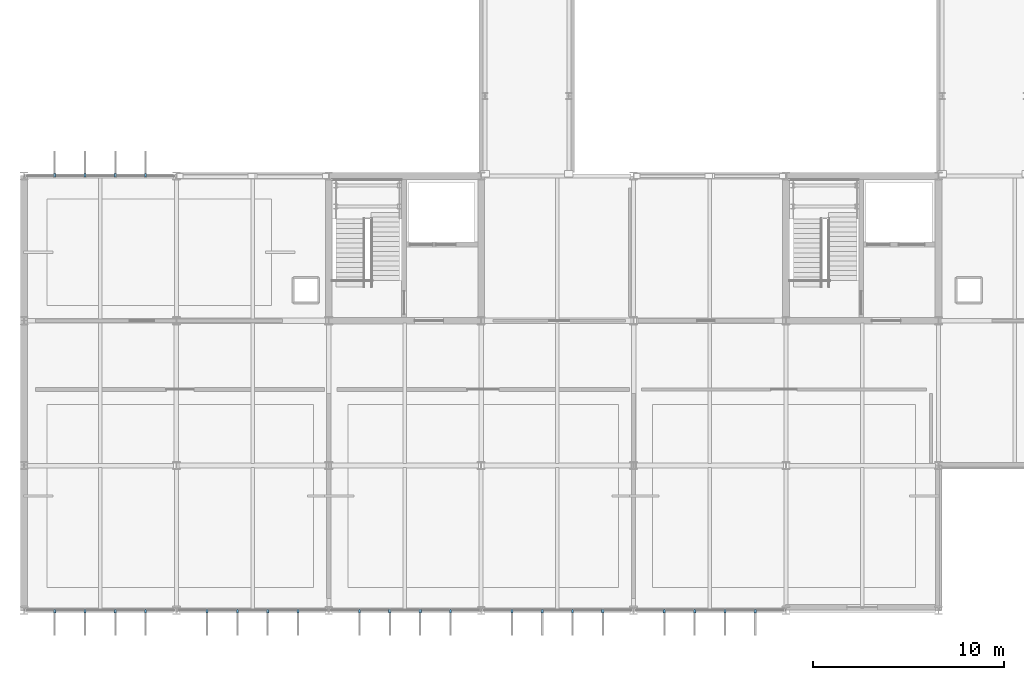
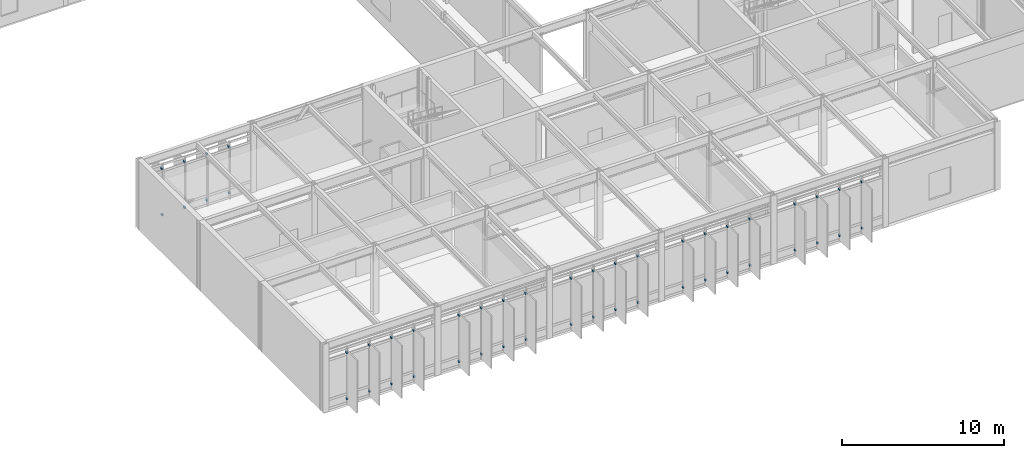
# One storey, part 82 of 94: 48 discrete accessories.
"""IFC4 building model written with IfcOpenShell, lengths in metres."""

from ifc_helpers import new_model, si_unit, direction, frame, origin, origin_2d, place, context, subcontext, project, spatial, rectangle, extrude, material, layer, layer_set, type_object, element, save


model = new_model("IFC4")

# Units and contexts
model_context = context("Model", 3, precision=1e-05, world=origin(), true_north=direction((0.0, 1.0)))
body_context = subcontext(model_context, "Body", "Model", "MODEL_VIEW")
ifc_project = project(units=[si_unit("LENGTHUNIT", "METRE"), si_unit("AREAUNIT", "SQUARE_METRE"), si_unit("VOLUMEUNIT", "CUBIC_METRE"), si_unit("PLANEANGLEUNIT", "RADIAN"), si_unit("MASSUNIT", "GRAM", prefix="KILO")], contexts=[model_context])

# Site, building, storey
site_placement = place(None, origin())
site = spatial("IfcSite", under=ifc_project, at=site_placement, CompositionType="ELEMENT")
building_placement = place(site_placement, origin())
building = spatial("IfcBuilding", under=site, at=building_placement, Name="Zulena Civic Courthouse", CompositionType="ELEMENT")
storey_placement = place(building_placement, frame((0.0, 0.0, 5.39990234375)))
storey = spatial("IfcBuildingStorey", under=building, at=storey_placement, Name="L01", CompositionType="ELEMENT", Elevation=5.39990234375)

# Discrete accessories
ifc_material = material(Name="Gold anodised architectural aluminium AA6063-T6", Category="aluminium")
ifc_layer = layer(ifc_material, 0.1201171875)
ifc_layer_set = layer_set([ifc_layer], Name="Gold anodised architectural aluminium AA6063-T6")
discrete_accessory_type = type_object("IfcDiscreteAccessoryType", Name="FinOutriggerBracket", PredefinedType="BRACKET", material=ifc_layer_set)
for number, where, z_axis, x_axis, name in (
    (1, (5.614501953125, 22.844970703125, 0.340087890625), (0.0, 0.0, 1.0), (0.0, 1.0, 0.0), "brk:V2:L01:1:0:1:5.80"),
    (2, (5.614501953125, 22.844970703125, 3.820068359375), (0.0, 0.0, 1.0), (0.0, 1.0, 0.0), "brk:V2:L01:1:0:1:9.28"),
    (3, (7.204833984375, 22.844970703125, 0.340087890625), (0.0, 0.0, 1.0), (0.0, 1.0, 0.0), "brk:V2:L01:1:0:2:5.80"),
    (4, (7.204833984375, 22.844970703125, 3.820068359375), (0.0, 0.0, 1.0), (0.0, 1.0, 0.0), "brk:V2:L01:1:0:2:9.28"),
    (5, (8.795166015625, 22.844970703125, 0.340087890625), (0.0, 0.0, 1.0), (0.0, 1.0, 0.0), "brk:V2:L01:1:0:3:5.80"),
    (6, (8.795166015625, 22.844970703125, 3.820068359375), (0.0, 0.0, 1.0), (0.0, 1.0, 0.0), "brk:V2:L01:1:0:3:9.28"),
    (7, (10.385498046875, 22.844970703125, 0.340087890625), (0.0, 0.0, 1.0), (0.0, 1.0, 0.0), "brk:V2:L01:1:0:4:5.80"),
    (8, (10.385498046875, 22.844970703125, 3.820068359375), (0.0, 0.0, 1.0), (0.0, 1.0, 0.0), "brk:V2:L01:1:0:4:9.28"),
    (9, (42.385498046875, -0.044921875, 0.340087890625), (0.0, 0.0, 1.0), (0.0, -1.0, 0.0), "brk:V2:L01:5:1:1:5.80"),
    (10, (42.385498046875, -0.044921875, 3.820068359375), (0.0, 0.0, 1.0), (0.0, -1.0, 0.0), "brk:V2:L01:5:1:1:9.28"),
    (11, (40.795166015625, -0.044921875, 0.340087890625), (0.0, 0.0, 1.0), (0.0, -1.0, 0.0), "brk:V2:L01:5:1:2:5.80"),
    (12, (40.795166015625, -0.044921875, 3.820068359375), (0.0, 0.0, 1.0), (0.0, -1.0, 0.0), "brk:V2:L01:5:1:2:9.28"),
    (13, (39.204833984375, -0.044921875, 0.340087890625), (0.0, 0.0, 1.0), (0.0, -1.0, 0.0), "brk:V2:L01:5:1:3:5.80"),
    (14, (39.204833984375, -0.044921875, 3.820068359375), (0.0, 0.0, 1.0), (0.0, -1.0, 0.0), "brk:V2:L01:5:1:3:9.28"),
    (15, (37.614501953125, -0.044921875, 0.340087890625), (0.0, 0.0, 1.0), (0.0, -1.0, 0.0), "brk:V2:L01:5:1:4:5.80"),
    (16, (37.614501953125, -0.044921875, 3.820068359375), (0.0, 0.0, 1.0), (0.0, -1.0, 0.0), "brk:V2:L01:5:1:4:9.28"),
    (17, (34.385498046875, -0.044921875, 0.340087890625), (0.0, 0.0, 1.0), (0.0, -1.0, 0.0), "brk:V2:L01:5:2:1:5.80"),
    (18, (34.385498046875, -0.044921875, 3.820068359375), (0.0, 0.0, 1.0), (0.0, -1.0, 0.0), "brk:V2:L01:5:2:1:9.28"),
    (19, (32.795166015625, -0.044921875, 0.340087890625), (0.0, 0.0, 1.0), (0.0, -1.0, 0.0), "brk:V2:L01:5:2:2:5.80"),
    (20, (32.795166015625, -0.044921875, 3.820068359375), (0.0, 0.0, 1.0), (0.0, -1.0, 0.0), "brk:V2:L01:5:2:2:9.28"),
    (21, (31.204833984375, -0.044921875, 0.340087890625), (0.0, 0.0, 1.0), (0.0, -1.0, 0.0), "brk:V2:L01:5:2:3:5.80"),
    (22, (31.204833984375, -0.044921875, 3.820068359375), (0.0, 0.0, 1.0), (0.0, -1.0, 0.0), "brk:V2:L01:5:2:3:9.28"),
    (23, (29.614501953125, -0.044921875, 0.340087890625), (0.0, 0.0, 1.0), (0.0, -1.0, 0.0), "brk:V2:L01:5:2:4:5.80"),
    (24, (29.614501953125, -0.044921875, 3.820068359375), (0.0, 0.0, 1.0), (0.0, -1.0, 0.0), "brk:V2:L01:5:2:4:9.28"),
    (25, (26.385498046875, -0.044921875, 0.340087890625), (0.0, 0.0, 1.0), (0.0, -1.0, 0.0), "brk:V2:L01:5:3:1:5.80"),
    (26, (26.385498046875, -0.044921875, 3.820068359375), (0.0, 0.0, 1.0), (0.0, -1.0, 0.0), "brk:V2:L01:5:3:1:9.28"),
    (27, (24.795166015625, -0.044921875, 0.340087890625), (0.0, 0.0, 1.0), (0.0, -1.0, 0.0), "brk:V2:L01:5:3:2:5.80"),
    (28, (24.795166015625, -0.044921875, 3.820068359375), (0.0, 0.0, 1.0), (0.0, -1.0, 0.0), "brk:V2:L01:5:3:2:9.28"),
    (29, (23.204833984375, -0.044921875, 0.340087890625), (0.0, 0.0, 1.0), (0.0, -1.0, 0.0), "brk:V2:L01:5:3:3:5.80"),
    (30, (23.204833984375, -0.044921875, 3.820068359375), (0.0, 0.0, 1.0), (0.0, -1.0, 0.0), "brk:V2:L01:5:3:3:9.28"),
    (31, (21.614501953125, -0.044921875, 0.340087890625), (0.0, 0.0, 1.0), (0.0, -1.0, 0.0), "brk:V2:L01:5:3:4:5.80"),
    (32, (21.614501953125, -0.044921875, 3.820068359375), (0.0, 0.0, 1.0), (0.0, -1.0, 0.0), "brk:V2:L01:5:3:4:9.28"),
    (33, (18.385498046875, -0.044921875, 0.340087890625), (0.0, 0.0, 1.0), (0.0, -1.0, 0.0), "brk:V2:L01:5:4:1:5.80"),
    (34, (18.385498046875, -0.044921875, 3.820068359375), (0.0, 0.0, 1.0), (0.0, -1.0, 0.0), "brk:V2:L01:5:4:1:9.28"),
    (35, (16.795166015625, -0.044921875, 0.340087890625), (0.0, 0.0, 1.0), (0.0, -1.0, 0.0), "brk:V2:L01:5:4:2:5.80"),
    (36, (16.795166015625, -0.044921875, 3.820068359375), (0.0, 0.0, 1.0), (0.0, -1.0, 0.0), "brk:V2:L01:5:4:2:9.28"),
    (37, (15.204833984375, -0.044921875, 0.340087890625), (0.0, 0.0, 1.0), (0.0, -1.0, 0.0), "brk:V2:L01:5:4:3:5.80"),
    (38, (15.204833984375, -0.044921875, 3.820068359375), (0.0, 0.0, 1.0), (0.0, -1.0, 0.0), "brk:V2:L01:5:4:3:9.28"),
    (39, (13.614501953125, -0.044921875, 0.340087890625), (0.0, 0.0, 1.0), (0.0, -1.0, 0.0), "brk:V2:L01:5:4:4:5.80"),
    (40, (13.614501953125, -0.044921875, 3.820068359375), (0.0, 0.0, 1.0), (0.0, -1.0, 0.0), "brk:V2:L01:5:4:4:9.28"),
    (41, (10.385498046875, -0.044921875, 0.340087890625), (0.0, 0.0, 1.0), (0.0, -1.0, 0.0), "brk:V2:L01:5:5:1:5.80"),
    (42, (10.385498046875, -0.044921875, 3.820068359375), (0.0, 0.0, 1.0), (0.0, -1.0, 0.0), "brk:V2:L01:5:5:1:9.28"),
    (43, (8.795166015625, -0.044921875, 0.340087890625), (0.0, 0.0, 1.0), (0.0, -1.0, 0.0), "brk:V2:L01:5:5:2:5.80"),
    (44, (8.795166015625, -0.044921875, 3.820068359375), (0.0, 0.0, 1.0), (0.0, -1.0, 0.0), "brk:V2:L01:5:5:2:9.28"),
    (45, (7.204833984375, -0.044921875, 0.340087890625), (0.0, 0.0, 1.0), (0.0, -1.0, 0.0), "brk:V2:L01:5:5:3:5.80"),
    (46, (7.204833984375, -0.044921875, 3.820068359375), (0.0, 0.0, 1.0), (0.0, -1.0, 0.0), "brk:V2:L01:5:5:3:9.28"),
    (47, (5.614501953125, -0.044921875, 0.340087890625), (0.0, 0.0, 1.0), (0.0, -1.0, 0.0), "brk:V2:L01:5:5:4:5.80"),
    (48, (5.614501953125, -0.044921875, 3.820068359375), (0.0, 0.0, 1.0), (0.0, -1.0, 0.0), "brk:V2:L01:5:5:4:9.28"),
):
    element("IfcDiscreteAccessory", number, at=place(storey_placement, frame(where, z_axis=z_axis, x_axis=x_axis)), inside=storey, type_object=discrete_accessory_type, Name=name, PredefinedType="BRACKET", context=body_context, shape_type="SweptSolid", body=[
        extrude(rectangle(XDim=0.179931640625, YDim=0.1201171875, at=origin_2d()), origin(), (0.0, 0.0, 1.0), 0.1201171875),
    ])

save(model, "model.ifc")
